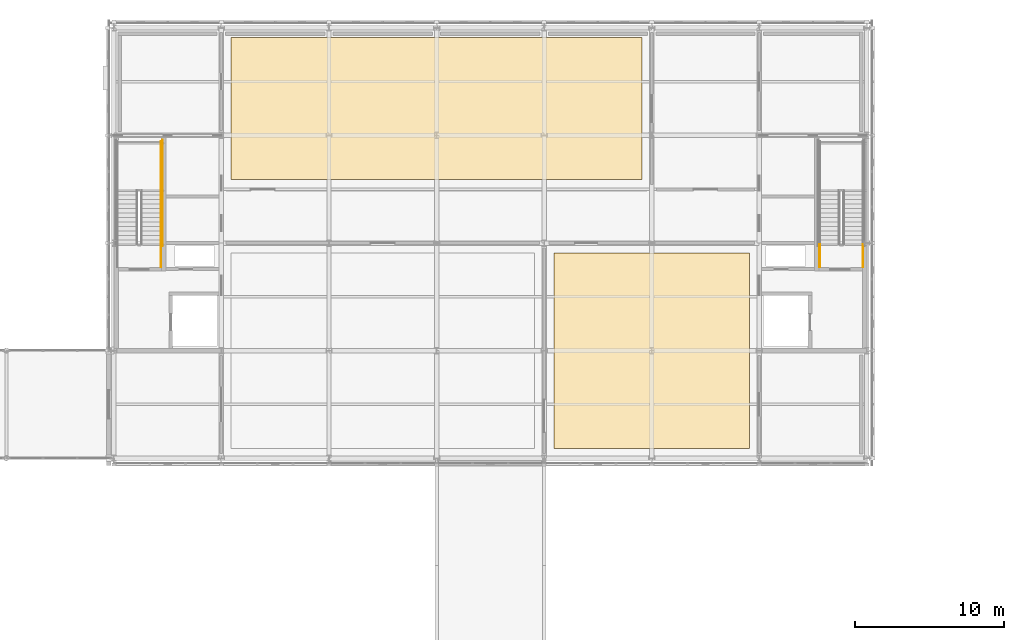
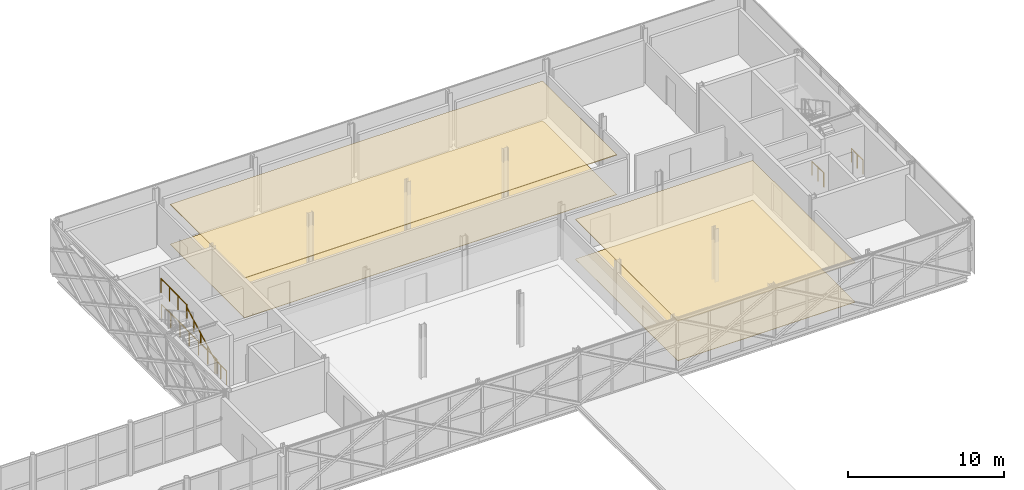
# One storey, part 124 of 126: 6 railings, 4 coverings.
"""IFC4 building model written with IfcOpenShell, lengths in metres."""

from ifc_helpers import new_model, si_unit, direction, frame, origin, origin_2d, place, context, subcontext, project, spatial, polyline, circle, outline, extrude, material, layer, layer_set, type_object, element, save


model = new_model("IFC4")

# Units and contexts
model_context = context("Model", 3, precision=1e-05, world=origin(), true_north=direction((0.0, 1.0)))
body_context = subcontext(model_context, "Body", "Model", "MODEL_VIEW")
ifc_project = project(units=[si_unit("LENGTHUNIT", "METRE"), si_unit("AREAUNIT", "SQUARE_METRE"), si_unit("VOLUMEUNIT", "CUBIC_METRE"), si_unit("PLANEANGLEUNIT", "RADIAN"), si_unit("MASSUNIT", "GRAM", prefix="KILO")], contexts=[model_context])

# Site, building, storey
site_placement = place(None, origin())
site = spatial("IfcSite", under=ifc_project, at=site_placement, CompositionType="ELEMENT")
building_placement = place(site_placement, origin())
building = spatial("IfcBuilding", under=site, at=building_placement, Name="Zlatovets Crest Museum", CompositionType="ELEMENT")
storey_placement = place(building_placement, frame((0.0, 0.0, 8.699951171875)))
storey = spatial("IfcBuildingStorey", under=building, at=storey_placement, Name="L02", CompositionType="ELEMENT", Elevation=8.699951171875)

# Coverings
ifc_material_1 = material(Name="Micro-perforated gypsum acoustic gallery ceiling")
ifc_layer_1 = layer(ifc_material_1, 0.050048828125)
ifc_layer_set_1 = layer_set([ifc_layer_1], Name="Micro-perforated gypsum acoustic gallery ceiling")
covering_type_1 = type_object("IfcCoveringType", Name="GalleryCeiling_CLG1", PredefinedType="CEILING", material=ifc_layer_set_1)
covering_1_placement = place(storey_placement, frame((0.0, 0.0, 3.090087890625)))
element("IfcCovering", 1, at=covering_1_placement, inside=storey, type_object=covering_type_1, Name="Glazed Majolica and Glasswork Gallery Acoustic Ceiling", PredefinedType="CEILING", context=body_context, shape_type="SweptSolid", body=[
    extrude(outline(polyline([(87.050048828125, 87.050048828125), (100.14990234375, 87.050048828125), (100.14990234375, 100.14990234375), (87.050048828125, 100.14990234375), (87.050048828125, 87.050048828125)])), origin(), (0.0, 0.0, 1.0), 0.050048828125),
])
covering_2_placement = place(storey_placement, frame((0.0, 0.0, 3.090087890625)))
element("IfcCovering", 2, at=covering_2_placement, inside=storey, type_object=covering_type_1, Name="Twentieth-Century Painting Gallery Acoustic Ceiling", PredefinedType="CEILING", context=body_context, shape_type="SweptSolid", body=[
    extrude(outline(polyline([(65.449951171875, 105.050048828125), (92.949951171875, 105.050048828125), (92.949951171875, 114.550048828125), (65.449951171875, 114.550048828125), (65.449951171875, 105.050048828125)])), origin(), (0.0, 0.0, 1.0), 0.050048828125),
])
ifc_material_2 = material(Name="Quarter-sawn European oak herringbone gallery parquet")
ifc_layer_2 = layer(ifc_material_2, 0.030029296875)
ifc_layer_set_2 = layer_set([ifc_layer_2], Name="Quarter-sawn European oak herringbone gallery parquet")
covering_type_2 = type_object("IfcCoveringType", Name="GalleryFloor_FLR1", PredefinedType="FLOORING", material=ifc_layer_set_2)
covering_3_placement = place(storey_placement, origin())
element("IfcCovering", 3, at=covering_3_placement, inside=storey, type_object=covering_type_2, Name="Glazed Majolica and Glasswork Gallery Floor Finish", PredefinedType="FLOORING", context=body_context, shape_type="SweptSolid", body=[
    extrude(outline(polyline([(87.050048828125, 87.050048828125), (100.14990234375, 87.050048828125), (100.14990234375, 100.14990234375), (87.050048828125, 100.14990234375), (87.050048828125, 87.050048828125)])), origin(), (0.0, 0.0, 1.0), 0.030029296875),
])
covering_4_placement = place(storey_placement, origin())
element("IfcCovering", 4, at=covering_4_placement, inside=storey, type_object=covering_type_2, Name="Twentieth-Century Painting Gallery Floor Finish", PredefinedType="FLOORING", context=body_context, shape_type="SweptSolid", body=[
    extrude(outline(polyline([(65.449951171875, 105.050048828125), (92.949951171875, 105.050048828125), (92.949951171875, 114.550048828125), (65.449951171875, 114.550048828125), (65.449951171875, 105.050048828125)])), origin(), (0.0, 0.0, 1.0), 0.030029296875),
])

# Railings
ifc_material_3 = material(Name="Painted steel safety guardrail", Category="steel")
railing_type_1 = type_object("IfcRailingType", Name="StairGuard_SG01", PredefinedType="GUARDRAIL", material=ifc_material_3)
railing_1_placement = place(storey_placement, frame((60.75, 104.300048828125, 2.10009765625)))
element("IfcRailing", 5, at=railing_1_placement, inside=storey, type_object=railing_type_1, Name="L02 ST1 stair guard 3", PredefinedType="GUARDRAIL", context=body_context, shape_type="SweptSolid", body=[
    extrude(circle(Radius=0.02392578125, at=origin_2d()), frame((0.0, 0.0, 1.076171875), z_axis=(0.0, 1.0, 0.0), x_axis=(-1.0, 0.0, 0.0)), (0.0, 0.0, 1.0), 3.300048828125),
    extrude(circle(Radius=0.02099609375, at=origin_2d()), origin(), (0.0, 0.0, 1.0), 1.052001953125),
    extrude(circle(Radius=0.02099609375, at=origin_2d()), frame((0.0, 1.10009765625, 0.0)), (0.0, 0.0, 1.0), 1.052001953125),
    extrude(circle(Radius=0.02099609375, at=origin_2d()), frame((0.0, 2.199951171875, 0.0)), (0.0, 0.0, 1.0), 1.052001953125),
    extrude(circle(Radius=0.02099609375, at=origin_2d()), frame((0.0, 3.300048828125, 0.0)), (0.0, 0.0, 1.0), 1.052001953125),
])
railing_2_placement = place(storey_placement, frame((60.75, 99.199951171875, 0.0)))
element("IfcRailing", 6, at=railing_2_placement, inside=storey, type_object=railing_type_1, Name="L02 ST1 stair guard 7", PredefinedType="GUARDRAIL", context=body_context, shape_type="SweptSolid", body=[
    extrude(circle(Radius=0.02392578125, at=origin_2d()), frame((0.0, 0.0, 1.076171875), z_axis=(0.0, 1.0, 0.0), x_axis=(-1.0, 0.0, 0.0)), (0.0, 0.0, 1.0), 1.5),
    extrude(circle(Radius=0.02099609375, at=origin_2d()), origin(), (0.0, 0.0, 1.0), 1.052001953125),
    extrude(circle(Radius=0.02099609375, at=origin_2d()), frame((0.0, 0.75, 0.0)), (0.0, 0.0, 1.0), 1.052001953125),
    extrude(circle(Radius=0.02099609375, at=origin_2d()), frame((0.0, 1.5, 0.0)), (0.0, 0.0, 1.0), 1.052001953125),
])
railing_3_placement = place(storey_placement, frame((60.85009765625, 100.60009765625, 0.0)))
element("IfcRailing", 7, at=railing_3_placement, inside=storey, type_object=railing_type_1, Name="L02 ST1 stair guard 9", PredefinedType="GUARDRAIL", context=body_context, shape_type="SweptSolid", body=[
    extrude(circle(Radius=0.02392578125, at=origin_2d()), frame((0.0, 0.0, 1.076171875), z_axis=(0.0, 1.0, 0.0), x_axis=(-1.0, 0.0, 0.0)), (0.0, 0.0, 1.0), 7.099853515625),
    extrude(circle(Radius=0.02099609375, at=origin_2d()), origin(), (0.0, 0.0, 1.0), 1.052001953125),
    extrude(circle(Radius=0.02099609375, at=origin_2d()), frame((0.0, 1.183349609375, 0.0)), (0.0, 0.0, 1.0), 1.052001953125),
    extrude(circle(Radius=0.02099609375, at=origin_2d()), frame((0.0, 2.36669921875, 0.0)), (0.0, 0.0, 1.0), 1.052001953125),
    extrude(circle(Radius=0.02099609375, at=origin_2d()), frame((0.0, 3.5498046875, 0.0)), (0.0, 0.0, 1.0), 1.052001953125),
    extrude(circle(Radius=0.02099609375, at=origin_2d()), frame((0.0, 4.733154296875, 0.0)), (0.0, 0.0, 1.0), 1.052001953125),
    extrude(circle(Radius=0.02099609375, at=origin_2d()), frame((0.0, 5.91650390625, 0.0)), (0.0, 0.0, 1.0), 1.052001953125),
    extrude(circle(Radius=0.02099609375, at=origin_2d()), frame((0.0, 7.099853515625, 0.0)), (0.0, 0.0, 1.0), 1.052001953125),
])
for number, where, name in (
    (8, (107.75, 99.199951171875, 0.0), "L02 ST7 stair guard 7"),
    (9, (104.85009765625, 99.199951171875, 0.0), "L02 ST7 stair guard 8"),
):
    element("IfcRailing", number, at=place(storey_placement, frame(where)), inside=storey, type_object=railing_type_1, Name=name, PredefinedType="GUARDRAIL", context=body_context, shape_type="SweptSolid", body=[
        extrude(circle(Radius=0.02392578125, at=origin_2d()), frame((0.0, 0.0, 1.076171875), z_axis=(0.0, 1.0, 0.0), x_axis=(-1.0, 0.0, 0.0)), (0.0, 0.0, 1.0), 1.5),
        extrude(circle(Radius=0.02099609375, at=origin_2d()), origin(), (0.0, 0.0, 1.0), 1.052001953125),
        extrude(circle(Radius=0.02099609375, at=origin_2d()), frame((0.0, 0.75, 0.0)), (0.0, 0.0, 1.0), 1.052001953125),
        extrude(circle(Radius=0.02099609375, at=origin_2d()), frame((0.0, 1.5, 0.0)), (0.0, 0.0, 1.0), 1.052001953125),
    ])
ifc_material_4 = material(Name="Brushed bronze stair handrail")
railing_type_2 = type_object("IfcRailingType", Name="StairHandrail_SH01", PredefinedType="HANDRAIL", material=ifc_material_4)
railing_4_placement = place(storey_placement, frame((60.75, 100.699951171875, 0.16162109375)))
element("IfcRailing", 10, at=railing_4_placement, inside=storey, type_object=railing_type_2, Name="L02 ST1 stair handrail 1", PredefinedType="HANDRAIL", context=body_context, shape_type="SweptSolid", body=[
    extrude(circle(Radius=0.02392578125, at=origin_2d()), frame((0.0, 0.0, 0.8759765625), z_axis=(0.0, 0.880474934443, 0.474092701714), x_axis=(-1.0, 0.0, 0.0)), (0.0, 0.0, 1.0), 4.0888671875),
    extrude(circle(Radius=0.02099609375, at=origin_2d()), origin(), (0.0, 0.0, 1.0), 0.851806640625),
    extrude(circle(Radius=0.02099609375, at=origin_2d()), frame((0.0, 0.89990234375, 0.484619140625)), (0.0, 0.0, 1.0), 0.851806640625),
    extrude(circle(Radius=0.02099609375, at=origin_2d()), frame((0.0, 1.800048828125, 0.96923828125)), (0.0, 0.0, 1.0), 0.851806640625),
    extrude(circle(Radius=0.02099609375, at=origin_2d()), frame((0.0, 2.7001953125, 1.453857421875)), (0.0, 0.0, 1.0), 0.851806640625),
    extrude(circle(Radius=0.02099609375, at=origin_2d()), frame((0.0, 3.60009765625, 1.9384765625)), (0.0, 0.0, 1.0), 0.851806640625),
])

save(model, "model.ifc")
